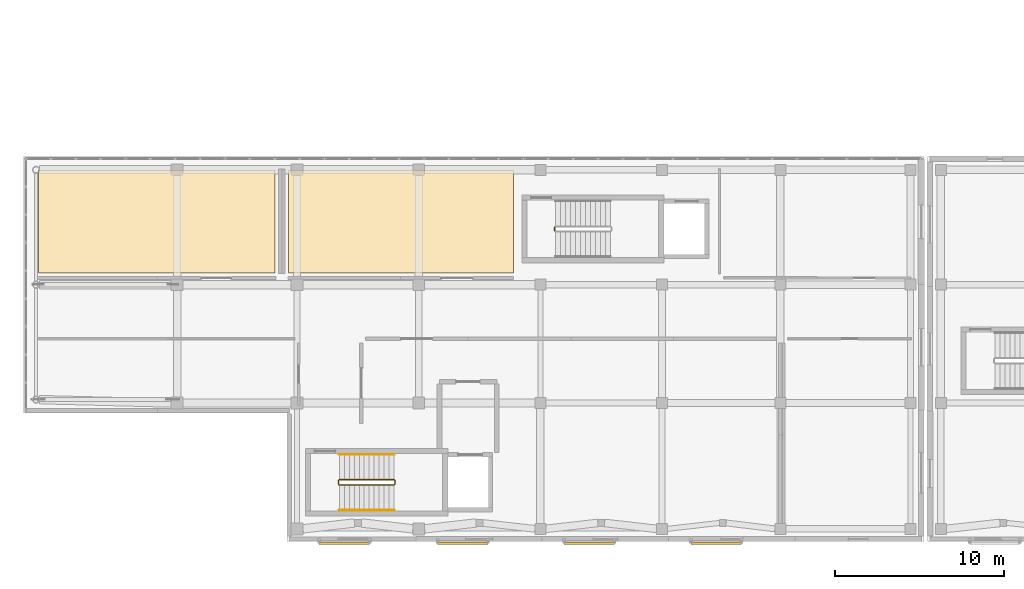
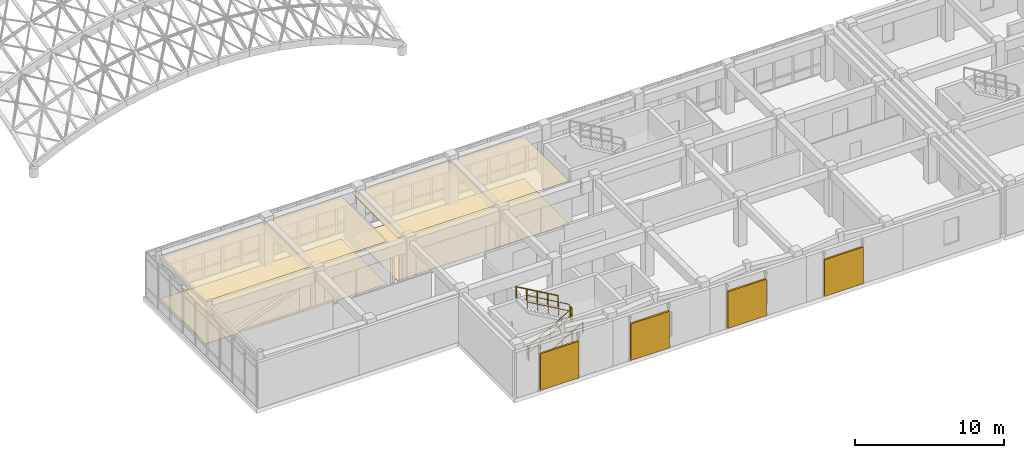
# One storey, part 141 of 146: 7 railings, 4 coverings, 4 shading devices.
"""IFC4 building model written with IfcOpenShell, lengths in metres."""

from ifc_helpers import new_model, si_unit, direction, frame, origin, origin_2d, place, context, subcontext, project, spatial, polyline, rectangle, circle, outline, extrude, material, layer, layer_set, type_object, element, save


model = new_model("IFC4")

# Units and contexts
model_context = context("Model", 3, precision=1e-05, world=origin(), true_north=direction((0.0, 1.0)))
body_context = subcontext(model_context, "Body", "Model", "MODEL_VIEW")
ifc_project = project(units=[si_unit("LENGTHUNIT", "METRE"), si_unit("AREAUNIT", "SQUARE_METRE"), si_unit("VOLUMEUNIT", "CUBIC_METRE"), si_unit("PLANEANGLEUNIT", "RADIAN"), si_unit("MASSUNIT", "GRAM", prefix="KILO")], contexts=[model_context])

# Site, building, storey
site_placement = place(None, origin())
site = spatial("IfcSite", under=ifc_project, at=site_placement, CompositionType="ELEMENT")
building_placement = place(site_placement, origin())
building = spatial("IfcBuilding", under=site, at=building_placement, Name="Valcora Specialist Clinic", CompositionType="ELEMENT")
storey_placement = place(building_placement, frame((0.0, 0.0, 9.52001953125)))
storey = spatial("IfcBuildingStorey", under=building, at=storey_placement, Name="L02", CompositionType="ELEMENT", Elevation=9.52001953125)

# Coverings
ifc_material_1 = material(Name="Acoustic Mineral Ceiling Tile")
ifc_layer_1 = layer(ifc_material_1, 0.02001953125)
ifc_layer_set_1 = layer_set([ifc_layer_1], Name="Acoustic Mineral Ceiling Tile")
covering_type_1 = type_object("IfcCoveringType", Name="TY-CV-CLG020", PredefinedType="CEILING", material=ifc_layer_set_1)
covering_1_placement = place(storey_placement, frame((0.0, 0.0, 3.47998046875)))
element("IfcCovering", 1, at=covering_1_placement, inside=storey, type_object=covering_type_1, Name="Acoustic ceiling tile 17", PredefinedType="CEILING", context=body_context, shape_type="SweptSolid", body=[
    extrude(outline(polyline([(0.89990234375, 22.0), (14.89990234375, 22.0), (14.89990234375, 15.89990234375), (0.89990234375, 15.89990234375), (0.89990234375, 22.0)])), origin(), (0.0, 0.0, 1.0), 0.02001953125),
])
covering_2_placement = place(storey_placement, frame((0.0, 0.0, 3.47998046875)))
element("IfcCovering", 2, at=covering_2_placement, inside=storey, type_object=covering_type_1, Name="Acoustic ceiling tile 18", PredefinedType="CEILING", context=body_context, shape_type="SweptSolid", body=[
    extrude(outline(polyline([(29.0, 22.0), (29.0, 15.89990234375), (15.699951171875, 15.89990234375), (15.699951171875, 22.0), (29.0, 22.0)])), origin(), (0.0, 0.0, 1.0), 0.02001953125),
])
ifc_material_2 = material(Name="Antimicrobial Vinyl Clinical Flooring")
ifc_layer_2 = layer(ifc_material_2, 0.008056640625)
ifc_layer_set_2 = layer_set([ifc_layer_2], Name="Antimicrobial Vinyl Clinical Flooring")
covering_type_2 = type_object("IfcCoveringType", Name="TY-CV-FLR008", PredefinedType="FLOORING", material=ifc_layer_set_2)
covering_3_placement = place(storey_placement, origin())
element("IfcCovering", 3, at=covering_3_placement, inside=storey, type_object=covering_type_2, Name="Antimicrobial clinical flooring 17", PredefinedType="FLOORING", context=body_context, shape_type="SweptSolid", body=[
    extrude(outline(polyline([(0.89990234375, 22.0), (14.89990234375, 22.0), (14.89990234375, 15.89990234375), (0.89990234375, 15.89990234375), (0.89990234375, 22.0)])), origin(), (0.0, 0.0, 1.0), 0.008056640625),
])
covering_4_placement = place(storey_placement, origin())
element("IfcCovering", 4, at=covering_4_placement, inside=storey, type_object=covering_type_2, Name="Antimicrobial clinical flooring 18", PredefinedType="FLOORING", context=body_context, shape_type="SweptSolid", body=[
    extrude(outline(polyline([(29.0, 22.0), (29.0, 15.89990234375), (15.699951171875, 15.89990234375), (15.699951171875, 22.0), (29.0, 22.0)])), origin(), (0.0, 0.0, 1.0), 0.008056640625),
])

# Railings
ifc_material_3 = material(Name="Stainless Steel AISI 316", Category="steel")
railing_type_1 = type_object("IfcRailingType", Name="TY-RL-GRD112", PredefinedType="GUARDRAIL", material=ifc_material_3)
railing_1_placement = place(storey_placement, frame((18.699951171875, 3.35009765625, 0.169921875)))
element("IfcRailing", 5, at=railing_1_placement, inside=storey, type_object=railing_type_1, Name="L02 ST-V5A stair guard 1", PredefinedType="GUARDRAIL", context=body_context, shape_type="SweptSolid", body=[
    extrude(circle(Radius=0.02392578125, at=origin_2d()), frame((0.0, 0.0, 1.09619140625), z_axis=(0.866424229515, 0.0, 0.499308576443), x_axis=(0.0, 1.0, 0.0)), (0.0, 0.0, 1.0), 3.745361328125),
    extrude(circle(Radius=0.02392578125, at=origin_2d()), frame((0.0, 0.0, 0.56005859375), z_axis=(0.866424229515, 0.0, 0.499308576443), x_axis=(0.0, 1.0, 0.0)), (0.0, 0.0, 1.0), 3.745361328125),
    extrude(circle(Radius=0.02099609375, at=origin_2d()), origin(), (0.0, 0.0, 1.0), 1.072021484375),
    extrude(circle(Radius=0.02099609375, at=origin_2d()), frame((0.811279296875, 0.0, 0.467529296875)), (0.0, 0.0, 1.0), 1.072021484375),
    extrude(circle(Radius=0.02099609375, at=origin_2d()), frame((1.62255859375, 0.0, 0.93505859375)), (0.0, 0.0, 1.0), 1.072021484375),
    extrude(circle(Radius=0.02099609375, at=origin_2d()), frame((2.433837890625, 0.0, 1.402587890625)), (0.0, 0.0, 1.0), 1.072021484375),
    extrude(circle(Radius=0.02099609375, at=origin_2d()), frame((3.2451171875, 0.0, 1.8701171875)), (0.0, 0.0, 1.0), 1.072021484375),
])
railing_2_placement = place(storey_placement, frame((21.9951171875, 3.39990234375, 2.0400390625)))
element("IfcRailing", 6, at=railing_2_placement, inside=storey, type_object=railing_type_1, Name="L02 ST-V5A stair guard 2", PredefinedType="GUARDRAIL", context=body_context, shape_type="SweptSolid", body=[
    extrude(circle(Radius=0.02392578125, at=origin_2d()), frame((0.0, 0.0, 1.09619140625), z_axis=(0.0, 1.0, 0.0), x_axis=(-1.0, 0.0, 0.0)), (0.0, 0.0, 1.0), 0.2001953125),
    extrude(circle(Radius=0.02392578125, at=origin_2d()), frame((0.0, 0.0, 0.56005859375), z_axis=(0.0, 1.0, 0.0), x_axis=(-1.0, 0.0, 0.0)), (0.0, 0.0, 1.0), 0.2001953125),
    extrude(circle(Radius=0.02099609375, at=origin_2d()), origin(), (0.0, 0.0, 1.0), 1.072021484375),
    extrude(circle(Radius=0.02099609375, at=origin_2d()), frame((0.0, 0.2001953125, 0.0)), (0.0, 0.0, 1.0), 1.072021484375),
])
railing_3_placement = place(storey_placement, frame((21.945068359375, 3.64990234375, 2.2099609375)))
element("IfcRailing", 7, at=railing_3_placement, inside=storey, type_object=railing_type_1, Name="L02 ST-V5A stair guard 3", PredefinedType="GUARDRAIL", context=body_context, shape_type="SweptSolid", body=[
    extrude(circle(Radius=0.02392578125, at=origin_2d()), frame((0.0, 0.0, 1.09619140625), z_axis=(-0.866424229515, 0.0, 0.499308576443), x_axis=(0.0, -1.0, 0.0)), (0.0, 0.0, 1.0), 3.745361328125),
    extrude(circle(Radius=0.02392578125, at=origin_2d()), frame((0.0, 0.0, 0.56005859375), z_axis=(-0.866424229515, 0.0, 0.499308576443), x_axis=(0.0, -1.0, 0.0)), (0.0, 0.0, 1.0), 3.745361328125),
    extrude(circle(Radius=0.02099609375, at=origin_2d()), origin(), (0.0, 0.0, 1.0), 1.072021484375),
    extrude(circle(Radius=0.02099609375, at=origin_2d()), frame((-0.811279296875, 0.0, 0.467529296875)), (0.0, 0.0, 1.0), 1.072021484375),
    extrude(circle(Radius=0.02099609375, at=origin_2d()), frame((-1.62255859375, 0.0, 0.93505859375)), (0.0, 0.0, 1.0), 1.072021484375),
    extrude(circle(Radius=0.02099609375, at=origin_2d()), frame((-2.433837890625, 0.0, 1.402587890625)), (0.0, 0.0, 1.0), 1.072021484375),
    extrude(circle(Radius=0.02099609375, at=origin_2d()), frame((-3.2451171875, 0.0, 1.8701171875)), (0.0, 0.0, 1.0), 1.072021484375),
])
for number, where, name in (
    (8, (18.64990234375, 3.39990234375, 0.0), "L02 ST-V5A stair guard 4"),
    (9, (31.449951171875, 18.39990234375, 0.0), "L02 ST-V5B stair guard 4"),
):
    element("IfcRailing", number, at=place(storey_placement, frame(where)), inside=storey, type_object=railing_type_1, Name=name, PredefinedType="GUARDRAIL", context=body_context, shape_type="SweptSolid", body=[
        extrude(circle(Radius=0.02392578125, at=origin_2d()), frame((0.0, 0.0, 1.09619140625), z_axis=(0.0, 1.0, 0.0), x_axis=(-1.0, 0.0, 0.0)), (0.0, 0.0, 1.0), 0.2001953125),
        extrude(circle(Radius=0.02392578125, at=origin_2d()), frame((0.0, 0.0, 0.56005859375), z_axis=(0.0, 1.0, 0.0), x_axis=(-1.0, 0.0, 0.0)), (0.0, 0.0, 1.0), 0.2001953125),
        extrude(circle(Radius=0.02099609375, at=origin_2d()), origin(), (0.0, 0.0, 1.0), 1.072021484375),
        extrude(circle(Radius=0.02099609375, at=origin_2d()), frame((0.0, 0.2001953125, 0.0)), (0.0, 0.0, 1.0), 1.072021484375),
    ])
railing_type_2 = type_object("IfcRailingType", Name="TY-RL-HND092", PredefinedType="HANDRAIL", material=ifc_material_3)
railing_4_placement = place(storey_placement, frame((18.699951171875, 1.85009765625, 0.169921875)))
element("IfcRailing", 10, at=railing_4_placement, inside=storey, type_object=railing_type_2, Name="L02 ST-V5A stair handrail 1", PredefinedType="HANDRAIL", context=body_context, shape_type="SweptSolid", body=[
    extrude(circle(Radius=0.02392578125, at=origin_2d()), frame((0.0, 0.0, 0.89599609375), z_axis=(0.866424229515, 0.0, 0.499308576443), x_axis=(0.0, 1.0, 0.0)), (0.0, 0.0, 1.0), 3.745361328125),
    extrude(circle(Radius=0.02099609375, at=origin_2d()), origin(), (0.0, 0.0, 1.0), 0.871826171875),
    extrude(circle(Radius=0.02099609375, at=origin_2d()), frame((0.811279296875, 0.0, 0.467529296875)), (0.0, 0.0, 1.0), 0.871826171875),
    extrude(circle(Radius=0.02099609375, at=origin_2d()), frame((1.62255859375, 0.0, 0.93505859375)), (0.0, 0.0, 1.0), 0.871826171875),
    extrude(circle(Radius=0.02099609375, at=origin_2d()), frame((2.433837890625, 0.0, 1.402587890625)), (0.0, 0.0, 1.0), 0.871826171875),
    extrude(circle(Radius=0.02099609375, at=origin_2d()), frame((3.2451171875, 0.0, 1.8701171875)), (0.0, 0.0, 1.0), 0.871826171875),
])
railing_5_placement = place(storey_placement, frame((21.945068359375, 5.14990234375, 2.2099609375)))
element("IfcRailing", 11, at=railing_5_placement, inside=storey, type_object=railing_type_2, Name="L02 ST-V5A stair handrail 2", PredefinedType="HANDRAIL", context=body_context, shape_type="SweptSolid", body=[
    extrude(circle(Radius=0.02392578125, at=origin_2d()), frame((0.0, 0.0, 0.89599609375), z_axis=(-0.866424229515, 0.0, 0.499308576443), x_axis=(0.0, -1.0, 0.0)), (0.0, 0.0, 1.0), 3.745361328125),
    extrude(circle(Radius=0.02099609375, at=origin_2d()), origin(), (0.0, 0.0, 1.0), 0.871826171875),
    extrude(circle(Radius=0.02099609375, at=origin_2d()), frame((-0.811279296875, 0.0, 0.467529296875)), (0.0, 0.0, 1.0), 0.871826171875),
    extrude(circle(Radius=0.02099609375, at=origin_2d()), frame((-1.62255859375, 0.0, 0.93505859375)), (0.0, 0.0, 1.0), 0.871826171875),
    extrude(circle(Radius=0.02099609375, at=origin_2d()), frame((-2.433837890625, 0.0, 1.402587890625)), (0.0, 0.0, 1.0), 0.871826171875),
    extrude(circle(Radius=0.02099609375, at=origin_2d()), frame((-3.2451171875, 0.0, 1.8701171875)), (0.0, 0.0, 1.0), 0.871826171875),
])

# Shading devices
ifc_material_4 = material(Name="Perforated Jalisco Clay Brick Masonry", Category="masonry")
ifc_layer_3 = layer(ifc_material_4, 0.139892578125)
ifc_layer_set_3 = layer_set([ifc_layer_3], Name="Perforated Jalisco Clay Brick Masonry")
shading_device_type = type_object("IfcShadingDeviceType", Name="TY-SD-SCR300", PredefinedType="USERDEFINED", material=ifc_layer_set_3)
for number, where, z_axis, x_axis, name in (
    (12, (19.0, -0.10009765625, 0.119873046875), (0.0, 0.0, 1.0), (1.0, 0.0, 0.0), "Perforated Jalisco brick screen 11"),
    (13, (26.0, -0.10009765625, 0.119873046875), (0.0, 0.0, 1.0), (1.0, 0.0, 0.0), "Perforated Jalisco brick screen 12"),
    (14, (33.5, -0.10009765625, 0.119873046875), (0.0, 0.0, 1.0), (1.0, 0.0, 0.0), "Perforated Jalisco brick screen 13"),
    (15, (41.0, -0.10009765625, 0.119873046875), (0.0, 0.0, 1.0), (1.0, 0.0, 0.0), "Perforated Jalisco brick screen 14"),
):
    element("IfcShadingDevice", number, at=place(storey_placement, frame(where, z_axis=z_axis, x_axis=x_axis)), inside=storey, type_object=shading_device_type, Name=name, ObjectType="PERFORATED BRICK SCREEN", PredefinedType="USERDEFINED", context=body_context, shape_type="SweptSolid", body=[
        extrude(rectangle(XDim=3.0, YDim=0.139892578125, at=origin_2d()), origin(), (0.0, 0.0, 1.0), 3.0),
    ])

save(model, "model.ifc")
